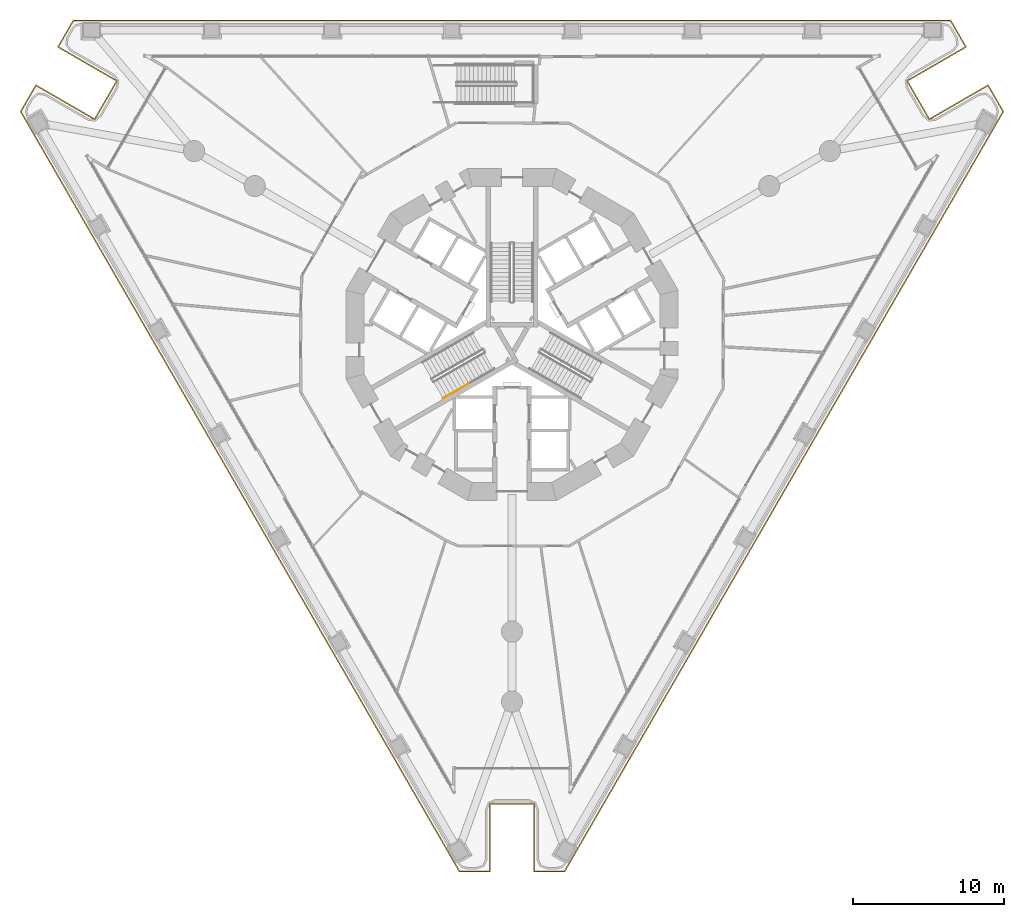
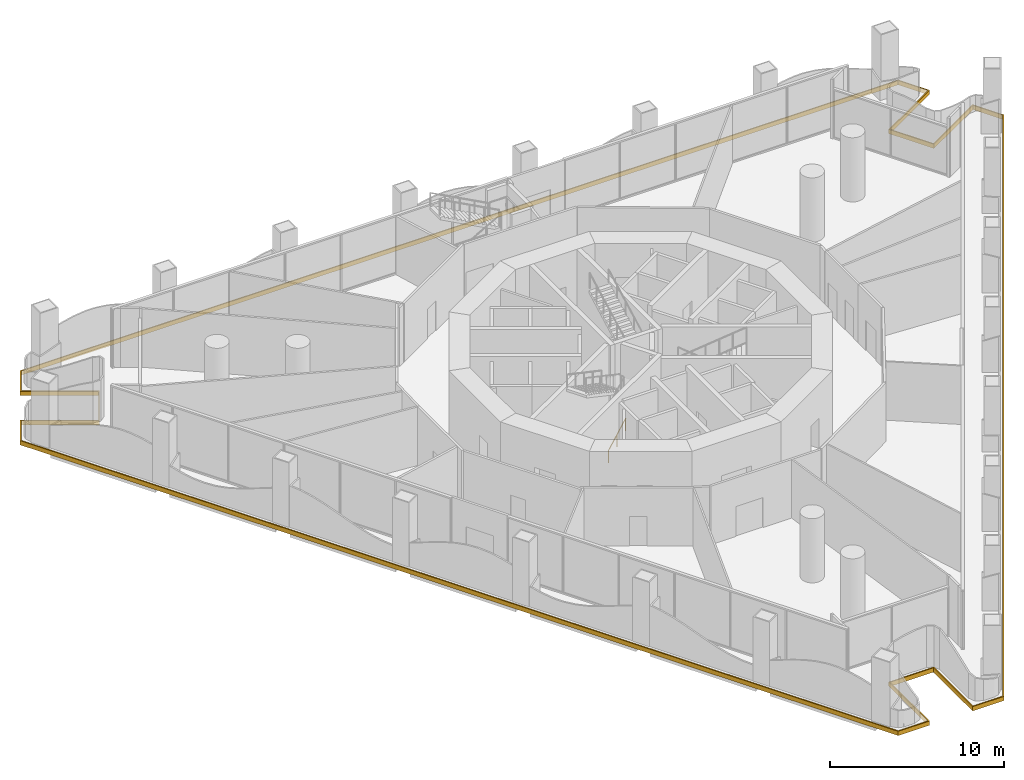
# One storey, part 16 of 22: 1 covering, 1 railing.
"""IFC4 building model written with IfcOpenShell, lengths in metres."""

from ifc_helpers import new_model, si_unit, direction, frame, origin, origin_2d, place, context, subcontext, project, spatial, polyline, circle, outline, extrude, material, layer, layer_set, type_object, element, save


model = new_model("IFC4")

# Units and contexts
model_context = context("Model", 3, precision=1e-05, world=origin(), true_north=direction((0.0, 1.0)))
body_context = subcontext(model_context, "Body", "Model", "MODEL_VIEW")
ifc_project = project(units=[si_unit("LENGTHUNIT", "METRE"), si_unit("AREAUNIT", "SQUARE_METRE"), si_unit("VOLUMEUNIT", "CUBIC_METRE"), si_unit("PLANEANGLEUNIT", "RADIAN"), si_unit("MASSUNIT", "GRAM", prefix="KILO")], contexts=[model_context])

# Site, building, storey
site_placement = place(None, origin())
site = spatial("IfcSite", under=ifc_project, at=site_placement, CompositionType="ELEMENT")
building_placement = place(site_placement, origin())
building = spatial("IfcBuilding", under=site, at=building_placement, Name="Trine Commons Tower", CompositionType="ELEMENT")
storey_placement = place(building_placement, frame((0.0, 0.0, 22.5)))
storey = spatial("IfcBuildingStorey", under=building, at=storey_placement, Name="L04", CompositionType="ELEMENT", Elevation=22.5)

# Covering
ifc_material_1 = material(Name="Limestone, honed", Category="masonry")
ifc_layer = layer(ifc_material_1, 0.074951171875)
ifc_layer_set = layer_set([ifc_layer], Name="Limestone, honed")
covering_type = type_object("IfcCoveringType", Name="Limestone spandrel panel 75", PredefinedType="CLADDING", material=ifc_layer_set)
covering_placement = place(storey_placement, frame((0.0, 0.0, -0.300048828125)))
element("IfcCovering", 1, at=covering_placement, inside=storey, type_object=covering_type, Name="Limestone spandrel panel 1-01", PredefinedType="CLADDING", context=body_context, shape_type="SweptSolid", body=[
    extrude(outline(polyline([(81.425048828125, 31.355712890625), (81.425048828125, 26.855712890625), (83.50732421875, 26.855712890625), (112.62255859375, 77.28466796875), (111.581298828125, 79.087890625), (107.68408203125, 76.837890625), (106.25927734375, 79.30615234375), (110.15625, 81.55615234375), (109.114990234375, 83.359619140625), (50.885009765625, 83.359619140625), (49.84375, 81.55615234375), (53.74072265625, 79.30615234375), (52.31591796875, 76.837890625), (48.418701171875, 79.087890625), (47.37744140625, 77.28466796875), (76.49267578125, 26.855712890625), (78.574951171875, 26.855712890625), (78.574951171875, 31.355712890625), (81.425048828125, 31.355712890625)]), holes=[polyline([(111.5537109375, 78.985595703125), (112.535888671875, 77.28466796875), (83.464111328125, 26.930908203125), (81.5, 26.930908203125), (81.5, 31.430908203125), (78.5, 31.430908203125), (78.5, 26.930908203125), (76.535888671875, 26.930908203125), (47.464111328125, 77.28466796875), (48.4462890625, 78.985595703125), (52.34326171875, 76.735595703125), (53.84326171875, 79.33349609375), (49.9462890625, 81.58349609375), (50.92822265625, 83.28466796875), (109.07177734375, 83.28466796875), (110.0537109375, 81.58349609375), (106.15673828125, 79.33349609375), (107.65673828125, 76.735595703125), (111.5537109375, 78.985595703125)])]), origin(), (0.0, 0.0, 1.0), 0.300048828125),
])

# Railing
ifc_material_2 = material(Name="Stainless steel handrail", Category="steel")
railing_type = type_object("IfcRailingType", Name="Stair handrail, steel 900", PredefinedType="HANDRAIL", material=ifc_material_2)
railing_placement = place(storey_placement, frame((75.43017578125, 58.27392578125, 0.14990234375)))
element("IfcRailing", 2, at=railing_placement, inside=storey, type_object=railing_type, Name="L04 ST2A stair handrail 1", PredefinedType="HANDRAIL", context=body_context, shape_type="SweptSolid", body=[
    extrude(circle(Radius=0.02099609375, at=origin_2d()), frame((0.0, 0.0, 0.87890625), z_axis=(0.763397845365, 0.440713210311, 0.472224095054), x_axis=(-0.499970440388, 0.866042469362, 0.0)), (0.0, 0.0, 1.0), 2.2236328125),
    extrude(circle(Radius=0.01513671875, at=origin_2d()), origin(), (0.0, 0.0, 1.0), 0.85791015625),
    extrude(circle(Radius=0.01513671875, at=origin_2d()), frame((0.8486328125, 0.489990234375, 0.52490234375)), (0.0, 0.0, 1.0), 0.85791015625),
    extrude(circle(Radius=0.01513671875, at=origin_2d()), frame((1.697509765625, 0.97998046875, 1.050048828125)), (0.0, 0.0, 1.0), 0.85791015625),
])

save(model, "model.ifc")
